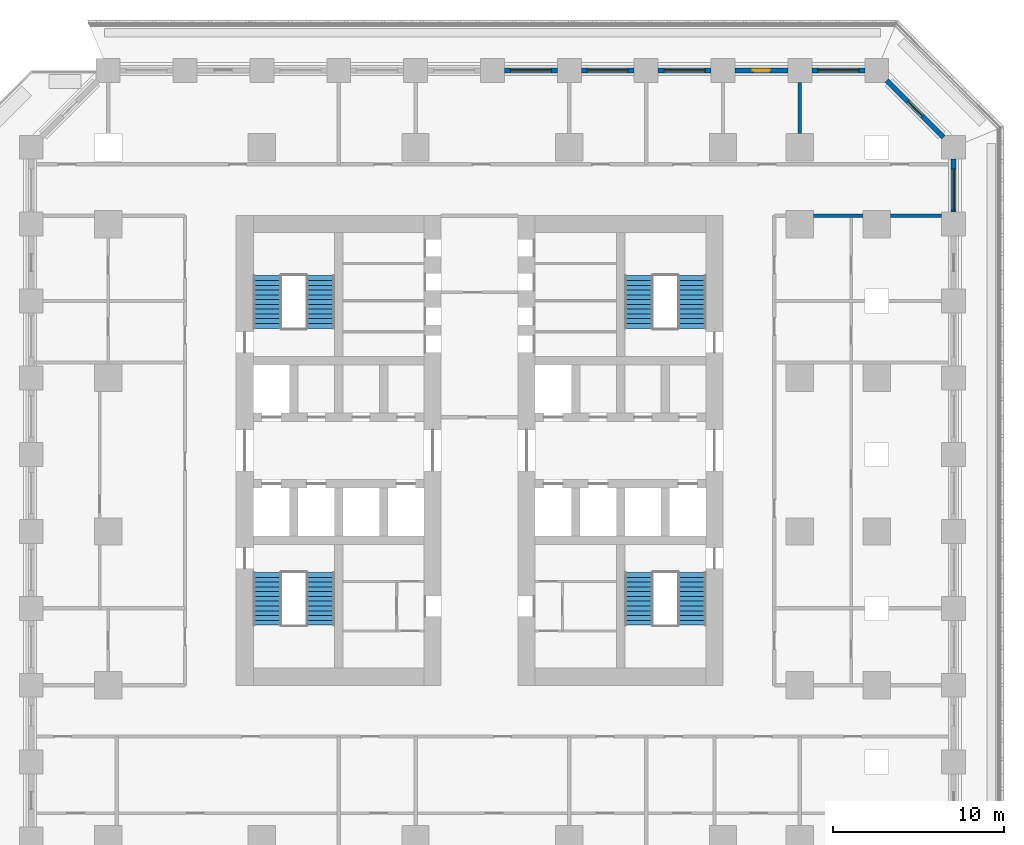
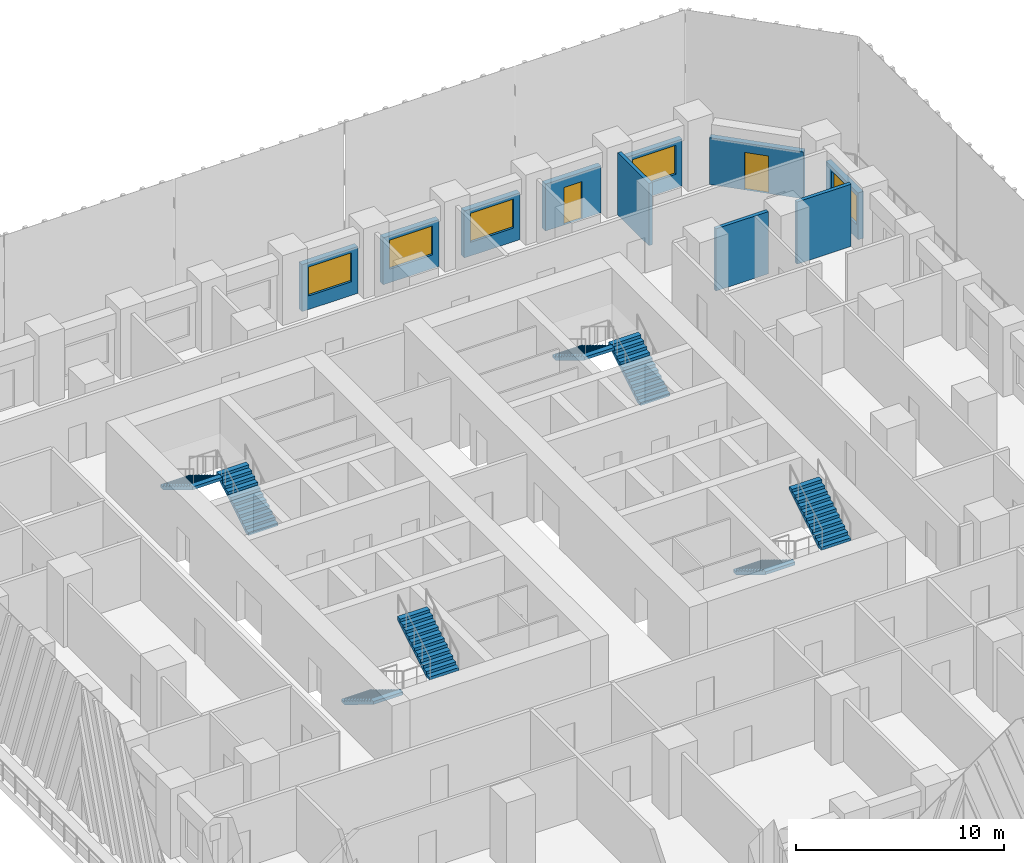
# One storey, part 9 of 15: 10 walls, 8 stair flights, 5 windows, 2 doors, 7 openings, 4 elements without a shape of their own.
"""IFC4 building model written with IfcOpenShell, lengths in metres."""

from ifc_helpers import new_model, si_unit, direction, frame, frame_2d, origin, place, context, subcontext, project, spatial, polyline, rectangle, outline, extrude, material, layer, layer_set, type_object, element, fill, aggregate, save


model = new_model("IFC4")

# Units and contexts
model_context = context("Model", 3, precision=1e-05, world=origin(), true_north=direction((0.0, 1.0)))
body_context = subcontext(model_context, "Body", "Model", "MODEL_VIEW")
ifc_project = project(units=[si_unit("LENGTHUNIT", "METRE"), si_unit("AREAUNIT", "SQUARE_METRE"), si_unit("VOLUMEUNIT", "CUBIC_METRE"), si_unit("PLANEANGLEUNIT", "RADIAN"), si_unit("MASSUNIT", "GRAM", prefix="KILO")], contexts=[model_context])

# Site, building, storey
site_placement = place(None, origin())
site = spatial("IfcSite", under=ifc_project, at=site_placement, CompositionType="ELEMENT")
building_placement = place(site_placement, origin())
building = spatial("IfcBuilding", under=site, at=building_placement, Name="Corbel Stack Research Tower", CompositionType="ELEMENT")
storey_placement = place(building_placement, frame((0.0, 0.0, 41.89990234375)))
storey = spatial("IfcBuildingStorey", under=building, at=storey_placement, Name="L09", CompositionType="ELEMENT", Elevation=41.89990234375)

# Walls
ifc_material_1 = material(Name="Fire-rated gypsum board partition on steel studs", Category="steel")
ifc_layer_1 = layer(ifc_material_1, 0.199951171875)
ifc_layer_set_1 = layer_set([ifc_layer_1], Name="Fire-rated gypsum board partition on steel studs")
wall_type_1 = type_object("IfcWallType", Name="Fire-rated partition 200 EI 60", PredefinedType="PARTITIONING", material=ifc_layer_set_1)
wall_1_placement = place(storey_placement, frame((22.5, 23.300048828125, 0.0), z_axis=(0.0, 0.0, 1.0), x_axis=(0.0, 1.0, 0.0)))
element("IfcWall", 1, at=wall_1_placement, inside=storey, type_object=wall_type_1, Name="Partition L09-025", PredefinedType="PARTITIONING", context=body_context, shape_type="SweptSolid", body=[
    extrude(rectangle(XDim=3.0, YDim=0.199951171875, at=frame_2d((1.5, 0.0))), origin(), (0.0, 0.0, 1.0), 3.650146484375),
])
wall_2_placement = place(storey_placement, frame((23.300048828125, 18.5, 0.0), z_axis=(0.0, 0.0, 1.0), x_axis=(1.0, 0.0, 0.0)))
element("IfcWall", 2, at=wall_2_placement, inside=storey, type_object=wall_type_1, Name="Partition L09-048", PredefinedType="PARTITIONING", context=body_context, shape_type="SweptSolid", body=[
    extrude(rectangle(XDim=2.89990234375, YDim=0.199951171875, at=frame_2d((1.449951171875, 0.0))), origin(), (0.0, 0.0, 1.0), 3.650146484375),
])
wall_3_placement = place(storey_placement, frame((27.800048828125, 18.5, 0.0), z_axis=(0.0, 0.0, 1.0), x_axis=(1.0, 0.0, 0.0)))
element("IfcWall", 3, at=wall_3_placement, inside=storey, type_object=wall_type_1, Name="Partition L09-049", PredefinedType="PARTITIONING", context=body_context, shape_type="SweptSolid", body=[
    extrude(rectangle(XDim=3.0, YDim=0.199951171875, at=frame_2d((1.5, 0.0))), origin(), (0.0, 0.0, 1.0), 3.650146484375),
])

# Wall, opening, window
ifc_material_2 = material(Name="Concrete C45/55", Category="concrete")
ifc_layer_2 = layer(ifc_material_2, 0.300048828125)
ifc_layer_set_2 = layer_set([ifc_layer_2], Name="Concrete C45/55")
wall_type_2 = type_object("IfcWallType", Name="Terracotta-faced concrete wall 300", PredefinedType="SOLIDWALL", material=ifc_layer_set_2)
wall_4_placement = place(storey_placement, frame((31.5, 21.800048828125, 0.0), z_axis=(0.0, 0.0, 1.0), x_axis=(0.0, -1.0, 0.0)))
wall_4 = element("IfcWall", 4, at=wall_4_placement, inside=storey, type_object=wall_type_2, Name="Facade wall L09 E10", PredefinedType="SOLIDWALL", context=body_context, shape_type="SweptSolid", body=[
    extrude(rectangle(XDim=3.10009765625, YDim=0.300048828125, at=frame_2d((1.550048828125, 0.0))), origin(), (0.0, 0.0, 1.0), 2.75),
])
opening_1_placement = place(wall_4_placement, frame((0.574951171875, 0.0, 0.800048828125)))
opening_1 = element("IfcOpeningElement", 5, at=opening_1_placement, cuts=wall_4, Name="Opening W1", PredefinedType="OPENING", context=body_context, shape_type="SweptSolid", body=[
    extrude(rectangle(XDim=2.39990234375, YDim=1.699951171875, at=frame_2d((1.199951171875, 0.85009765625))), frame((0.0, 0.159912109375, 0.0), z_axis=(0.0, -1.0, 0.0), x_axis=(1.0, 0.0, 0.0)), (0.0, 0.0, 1.0), 0.320068359375),
])
ifc_material_3 = material(Name="Aluminium frame, clear double glazing", Category="aluminium")
window_type = type_object("IfcWindowType", Name="Window W1 2400 x 1700", PartitioningType="SINGLE_PANEL", PredefinedType="WINDOW", material=ifc_material_3)
window_1_placement = place(opening_1_placement, origin())
window_1 = element("IfcWindow", 6, at=window_1_placement, inside=storey, type_object=window_type, Name="Window W1 L09 E10", OverallHeight=1.699951171875, OverallWidth=2.39990234375, PartitioningType="SINGLE_PANEL", PredefinedType="WINDOW", context=body_context, shape_type="SweptSolid", body=[
    extrude(rectangle(XDim=2.39990234375, YDim=1.699951171875, at=frame_2d((1.199951171875, 0.85009765625))), frame((0.0, 0.030029296875, 0.0), z_axis=(0.0, -1.0, 0.0), x_axis=(1.0, 0.0, 0.0)), (0.0, 0.0, 1.0), 0.06005859375),
])
fill(opening_1, window_1)

# Wall, opening, door
wall_5_placement = place(storey_placement, frame((27.593994140625, 26.406005859375, 0.0), z_axis=(0.0, 0.0, 1.0), x_axis=(0.707106781187, -0.707106781187, 0.0)))
wall_5 = element("IfcWall", 7, at=wall_5_placement, inside=storey, type_object=wall_type_2, Name="Facade wall L09 NE01", PredefinedType="SOLIDWALL", context=body_context, shape_type="SweptSolid", body=[
    extrude(rectangle(XDim=4.683837890625, YDim=0.300048828125, at=frame_2d((2.341796875, 0.0))), origin(), (0.0, 0.0, 1.0), 2.75),
])
opening_2_placement = place(wall_5_placement, frame((1.741943359375, 0.0, 0.0)))
opening_2 = element("IfcOpeningElement", 8, at=opening_2_placement, cuts=wall_5, Name="Opening L09-B06", PredefinedType="OPENING", context=body_context, shape_type="SweptSolid", body=[
    extrude(rectangle(XDim=1.199951171875, YDim=2.199951171875, at=frame_2d((0.60009765625, 1.10009765625))), frame((0.0, 0.159912109375, 0.0), z_axis=(0.0, -1.0, 0.0), x_axis=(1.0, 0.0, 0.0)), (0.0, 0.0, 1.0), 0.320068359375),
])
ifc_material_4 = material(Name="Aluminium frame, clear double glazing", Category="aluminium")
door_type_1 = type_object("IfcDoorType", Name="Balcony door BD2 1200 x 2200", OperationType="NOTDEFINED", PredefinedType="DOOR", material=ifc_material_4)
door_1_placement = place(opening_2_placement, origin())
door_1 = element("IfcDoor", 9, at=door_1_placement, inside=storey, type_object=door_type_1, Name="Balcony door L09-B06", OperationType="SINGLE_SWING_RIGHT", OverallHeight=2.199951171875, OverallWidth=1.199951171875, PredefinedType="DOOR", context=body_context, shape_type="SweptSolid", body=[
    extrude(rectangle(XDim=1.199951171875, YDim=2.199951171875, at=frame_2d((0.60009765625, 1.10009765625))), frame((0.0, 0.02490234375, 0.0), z_axis=(0.0, -1.0, 0.0), x_axis=(1.0, 0.0, 0.0)), (0.0, 0.0, 1.0), 0.050048828125),
])
fill(opening_2, door_1)

# Wall, opening, window
wall_6_placement = place(storey_placement, frame((23.199951171875, 27.0, 0.0), z_axis=(0.0, 0.0, 1.0), x_axis=(1.0, 0.0, 0.0)))
wall_6 = element("IfcWall", 10, at=wall_6_placement, inside=storey, type_object=wall_type_2, Name="Facade wall L09 N01", PredefinedType="SOLIDWALL", context=body_context, shape_type="SweptSolid", body=[
    extrude(rectangle(XDim=3.10009765625, YDim=0.300048828125, at=frame_2d((1.550048828125, 0.0))), origin(), (0.0, 0.0, 1.0), 2.75),
])
opening_3_placement = place(wall_6_placement, frame((0.35009765625, 0.0, 0.800048828125)))
opening_3 = element("IfcOpeningElement", 11, at=opening_3_placement, cuts=wall_6, Name="Opening W1", PredefinedType="OPENING", context=body_context, shape_type="SweptSolid", body=[
    extrude(rectangle(XDim=2.39990234375, YDim=1.699951171875, at=frame_2d((1.199951171875, 0.85009765625))), frame((0.0, 0.159912109375, 0.0), z_axis=(0.0, -1.0, 0.0), x_axis=(1.0, 0.0, 0.0)), (0.0, 0.0, 1.0), 0.320068359375),
])
window_2_placement = place(opening_3_placement, origin())
window_2 = element("IfcWindow", 12, at=window_2_placement, inside=storey, type_object=window_type, Name="Window W1 L09 N01", OverallHeight=1.699951171875, OverallWidth=2.39990234375, PartitioningType="SINGLE_PANEL", PredefinedType="WINDOW", context=body_context, shape_type="SweptSolid", body=[
    extrude(rectangle(XDim=2.39990234375, YDim=1.699951171875, at=frame_2d((1.199951171875, 0.85009765625))), frame((0.0, 0.030029296875, 0.0), z_axis=(0.0, -1.0, 0.0), x_axis=(1.0, 0.0, 0.0)), (0.0, 0.0, 1.0), 0.06005859375),
])
fill(opening_3, window_2)

# Wall, opening, door
wall_7_placement = place(storey_placement, frame((18.699951171875, 27.0, 0.0), z_axis=(0.0, 0.0, 1.0), x_axis=(1.0, 0.0, 0.0)))
wall_7 = element("IfcWall", 13, at=wall_7_placement, inside=storey, type_object=wall_type_2, Name="Facade wall L09 N02", PredefinedType="SOLIDWALL", context=body_context, shape_type="SweptSolid", body=[
    extrude(rectangle(XDim=3.10009765625, YDim=0.300048828125, at=frame_2d((1.550048828125, 0.0))), origin(), (0.0, 0.0, 1.0), 2.75),
])
opening_4_placement = place(wall_7_placement, frame((1.050048828125, 0.0, 0.0)))
opening_4 = element("IfcOpeningElement", 14, at=opening_4_placement, cuts=wall_7, Name="Opening L09-B07", PredefinedType="OPENING", context=body_context, shape_type="SweptSolid", body=[
    extrude(rectangle(XDim=1.0, YDim=2.199951171875, at=frame_2d((0.5, 1.10009765625))), frame((0.0, 0.159912109375, 0.0), z_axis=(0.0, -1.0, 0.0), x_axis=(1.0, 0.0, 0.0)), (0.0, 0.0, 1.0), 0.320068359375),
])
ifc_material_5 = material(Name="Aluminium frame, clear double glazing", Category="aluminium")
door_type_2 = type_object("IfcDoorType", Name="Balcony door BD1 1000 x 2200", OperationType="NOTDEFINED", PredefinedType="DOOR", material=ifc_material_5)
door_2_placement = place(opening_4_placement, origin())
door_2 = element("IfcDoor", 15, at=door_2_placement, inside=storey, type_object=door_type_2, Name="Balcony door L09-B07", OperationType="SINGLE_SWING_LEFT", OverallHeight=2.199951171875, OverallWidth=1.0, PredefinedType="DOOR", context=body_context, shape_type="SweptSolid", body=[
    extrude(rectangle(XDim=1.0, YDim=2.199951171875, at=frame_2d((0.5, 1.10009765625))), frame((0.0, 0.02490234375, 0.0), z_axis=(0.0, -1.0, 0.0), x_axis=(1.0, 0.0, 0.0)), (0.0, 0.0, 1.0), 0.050048828125),
])
fill(opening_4, door_2)

# Wall, opening, window
wall_8_placement = place(storey_placement, frame((14.199951171875, 27.0, 0.0), z_axis=(0.0, 0.0, 1.0), x_axis=(1.0, 0.0, 0.0)))
wall_8 = element("IfcWall", 16, at=wall_8_placement, inside=storey, type_object=wall_type_2, Name="Facade wall L09 N03", PredefinedType="SOLIDWALL", context=body_context, shape_type="SweptSolid", body=[
    extrude(rectangle(XDim=3.10009765625, YDim=0.300048828125, at=frame_2d((1.550048828125, 0.0))), origin(), (0.0, 0.0, 1.0), 2.75),
])
opening_5_placement = place(wall_8_placement, frame((0.35009765625, 0.0, 0.800048828125)))
opening_5 = element("IfcOpeningElement", 17, at=opening_5_placement, cuts=wall_8, Name="Opening W1", PredefinedType="OPENING", context=body_context, shape_type="SweptSolid", body=[
    extrude(rectangle(XDim=2.39990234375, YDim=1.699951171875, at=frame_2d((1.199951171875, 0.85009765625))), frame((0.0, 0.159912109375, 0.0), z_axis=(0.0, -1.0, 0.0), x_axis=(1.0, 0.0, 0.0)), (0.0, 0.0, 1.0), 0.320068359375),
])
window_3_placement = place(opening_5_placement, origin())
window_3 = element("IfcWindow", 18, at=window_3_placement, inside=storey, type_object=window_type, Name="Window W1 L09 N03", OverallHeight=1.699951171875, OverallWidth=2.39990234375, PartitioningType="SINGLE_PANEL", PredefinedType="WINDOW", context=body_context, shape_type="SweptSolid", body=[
    extrude(rectangle(XDim=2.39990234375, YDim=1.699951171875, at=frame_2d((1.199951171875, 0.85009765625))), frame((0.0, 0.030029296875, 0.0), z_axis=(0.0, -1.0, 0.0), x_axis=(1.0, 0.0, 0.0)), (0.0, 0.0, 1.0), 0.06005859375),
])
fill(opening_5, window_3)

wall_9_placement = place(storey_placement, frame((9.699951171875, 27.0, 0.0), z_axis=(0.0, 0.0, 1.0), x_axis=(1.0, 0.0, 0.0)))
wall_9 = element("IfcWall", 19, at=wall_9_placement, inside=storey, type_object=wall_type_2, Name="Facade wall L09 N04", PredefinedType="SOLIDWALL", context=body_context, shape_type="SweptSolid", body=[
    extrude(rectangle(XDim=3.10009765625, YDim=0.300048828125, at=frame_2d((1.550048828125, 0.0))), origin(), (0.0, 0.0, 1.0), 2.75),
])
opening_6_placement = place(wall_9_placement, frame((0.35009765625, 0.0, 0.800048828125)))
opening_6 = element("IfcOpeningElement", 20, at=opening_6_placement, cuts=wall_9, Name="Opening W1", PredefinedType="OPENING", context=body_context, shape_type="SweptSolid", body=[
    extrude(rectangle(XDim=2.39990234375, YDim=1.699951171875, at=frame_2d((1.199951171875, 0.85009765625))), frame((0.0, 0.159912109375, 0.0), z_axis=(0.0, -1.0, 0.0), x_axis=(1.0, 0.0, 0.0)), (0.0, 0.0, 1.0), 0.320068359375),
])
window_4_placement = place(opening_6_placement, origin())
window_4 = element("IfcWindow", 21, at=window_4_placement, inside=storey, type_object=window_type, Name="Window W1 L09 N04", OverallHeight=1.699951171875, OverallWidth=2.39990234375, PartitioningType="SINGLE_PANEL", PredefinedType="WINDOW", context=body_context, shape_type="SweptSolid", body=[
    extrude(rectangle(XDim=2.39990234375, YDim=1.699951171875, at=frame_2d((1.199951171875, 0.85009765625))), frame((0.0, 0.030029296875, 0.0), z_axis=(0.0, -1.0, 0.0), x_axis=(1.0, 0.0, 0.0)), (0.0, 0.0, 1.0), 0.06005859375),
])
fill(opening_6, window_4)

wall_10_placement = place(storey_placement, frame((5.199951171875, 27.0, 0.0), z_axis=(0.0, 0.0, 1.0), x_axis=(1.0, 0.0, 0.0)))
wall_10 = element("IfcWall", 22, at=wall_10_placement, inside=storey, type_object=wall_type_2, Name="Facade wall L09 N05", PredefinedType="SOLIDWALL", context=body_context, shape_type="SweptSolid", body=[
    extrude(rectangle(XDim=3.10009765625, YDim=0.300048828125, at=frame_2d((1.550048828125, 0.0))), origin(), (0.0, 0.0, 1.0), 2.75),
])
opening_7_placement = place(wall_10_placement, frame((0.35009765625, 0.0, 0.800048828125)))
opening_7 = element("IfcOpeningElement", 23, at=opening_7_placement, cuts=wall_10, Name="Opening W1", PredefinedType="OPENING", context=body_context, shape_type="SweptSolid", body=[
    extrude(rectangle(XDim=2.39990234375, YDim=1.699951171875, at=frame_2d((1.199951171875, 0.85009765625))), frame((0.0, 0.159912109375, 0.0), z_axis=(0.0, -1.0, 0.0), x_axis=(1.0, 0.0, 0.0)), (0.0, 0.0, 1.0), 0.320068359375),
])
window_5_placement = place(opening_7_placement, origin())
window_5 = element("IfcWindow", 24, at=window_5_placement, inside=storey, type_object=window_type, Name="Window W1 L09 N05", OverallHeight=1.699951171875, OverallWidth=2.39990234375, PartitioningType="SINGLE_PANEL", PredefinedType="WINDOW", context=body_context, shape_type="SweptSolid", body=[
    extrude(rectangle(XDim=2.39990234375, YDim=1.699951171875, at=frame_2d((1.199951171875, 0.85009765625))), frame((0.0, 0.030029296875, 0.0), z_axis=(0.0, -1.0, 0.0), x_axis=(1.0, 0.0, 0.0)), (0.0, 0.0, 1.0), 0.06005859375),
])
fill(opening_7, window_5)

# Stair, stair flights
ifc_material_6 = material(Name="Concrete C40/50", Category="concrete")
stair_type = type_object("IfcStairType", Name="Exit stair 24 risers", PredefinedType="HALF_TURN_STAIR", material=ifc_material_6)
stair_1_placement = place(storey_placement, origin())
stair_1 = element("IfcStair", 25, at=stair_1_placement, inside=storey, type_object=stair_type, Name="L09 Exit stair ST-W1", PredefinedType="HALF_TURN_STAIR")
ifc_material_7 = material(Name="Concrete C40/50", Category="concrete")
stair_flight_type = type_object("IfcStairFlightType", Name="Stair flight 12 risers", PredefinedType="STRAIGHT", material=ifc_material_7)
stair_flight_1_placement = place(storey_placement, frame((-8.675048828125, -2.39990234375, 0.0), z_axis=(0.0, 0.0, 1.0), x_axis=(0.0, -1.0, 0.0)))
stair_flight_1 = element("IfcStairFlight", 26, at=stair_flight_1_placement, type_object=stair_flight_type, Name="ST-W1 flight 1", NumberOfRisers=12, NumberOfTreads=11, PredefinedType="STRAIGHT", RiserHeight=0.170833333, TreadLength=0.28, context=body_context, shape_type="SweptSolid", body=[
    extrude(outline(polyline([(0.0, 0.0), (0.0, 0.1708984375), (0.280029296875, 0.1708984375), (0.280029296875, 0.341552734375), (0.56005859375, 0.341552734375), (0.56005859375, 0.512451171875), (0.840087890625, 0.512451171875), (0.840087890625, 0.683349609375), (1.1201171875, 0.683349609375), (1.1201171875, 0.854248046875), (1.39990234375, 0.854248046875), (1.39990234375, 1.02490234375), (1.679931640625, 1.02490234375), (1.679931640625, 1.19580078125), (1.9599609375, 1.19580078125), (1.9599609375, 1.36669921875), (2.239990234375, 1.36669921875), (2.239990234375, 1.53759765625), (2.52001953125, 1.53759765625), (2.52001953125, 1.708251953125), (2.800048828125, 1.708251953125), (2.800048828125, 1.879150390625), (3.080078125, 1.879150390625), (3.080078125, 2.050048828125), (3.080078125, 1.70361328125), (0.287841796875, 0.0), (0.0, 0.0)])), frame((0.0, 0.824951171875, 0.0), z_axis=(0.0, -1.0, 0.0), x_axis=(1.0, 0.0, 0.0)), (0.0, 0.0, 1.0), 1.64990234375),
])
stair_flight_2_placement = place(storey_placement, frame((-5.574951171875, -5.47998046875, 2.050048828125), z_axis=(0.0, 0.0, 1.0), x_axis=(0.0, 1.0, 0.0)))
stair_flight_2 = element("IfcStairFlight", 27, at=stair_flight_2_placement, type_object=stair_flight_type, Name="ST-W1 flight 2", NumberOfRisers=12, NumberOfTreads=11, PredefinedType="STRAIGHT", RiserHeight=0.170833333, TreadLength=0.28, context=body_context, shape_type="SweptSolid", body=[
    extrude(outline(polyline([(0.0, 0.0), (0.0, 0.1708984375), (0.280029296875, 0.1708984375), (0.280029296875, 0.341552734375), (0.56005859375, 0.341552734375), (0.56005859375, 0.512451171875), (0.840087890625, 0.512451171875), (0.840087890625, 0.683349609375), (1.1201171875, 0.683349609375), (1.1201171875, 0.854248046875), (1.39990234375, 0.854248046875), (1.39990234375, 1.02490234375), (1.679931640625, 1.02490234375), (1.679931640625, 1.19580078125), (1.9599609375, 1.19580078125), (1.9599609375, 1.36669921875), (2.239990234375, 1.36669921875), (2.239990234375, 1.53759765625), (2.52001953125, 1.53759765625), (2.52001953125, 1.708251953125), (2.800048828125, 1.708251953125), (2.800048828125, 1.879150390625), (3.080078125, 1.879150390625), (3.080078125, 2.050048828125), (3.080078125, 1.70361328125), (0.287841796875, 0.0), (0.0, 0.0)])), frame((0.0, 0.824951171875, 0.0), z_axis=(0.0, -1.0, 0.0), x_axis=(1.0, 0.0, 0.0)), (0.0, 0.0, 1.0), 1.64990234375),
])
aggregate(stair_1, [stair_flight_1, stair_flight_2])

stair_2_placement = place(storey_placement, origin())
stair_2 = element("IfcStair", 28, at=stair_2_placement, inside=storey, type_object=stair_type, Name="L09 Exit stair ST-W2", PredefinedType="HALF_TURN_STAIR")
stair_flight_3_placement = place(storey_placement, frame((-5.574951171875, 11.89990234375, 0.0), z_axis=(0.0, 0.0, 1.0), x_axis=(0.0, 1.0, 0.0)))
stair_flight_3 = element("IfcStairFlight", 29, at=stair_flight_3_placement, type_object=stair_flight_type, Name="ST-W2 flight 1", NumberOfRisers=12, NumberOfTreads=11, PredefinedType="STRAIGHT", RiserHeight=0.170833333, TreadLength=0.28, context=body_context, shape_type="SweptSolid", body=[
    extrude(outline(polyline([(0.0, 0.0), (0.0, 0.1708984375), (0.280029296875, 0.1708984375), (0.280029296875, 0.341552734375), (0.56005859375, 0.341552734375), (0.56005859375, 0.512451171875), (0.840087890625, 0.512451171875), (0.840087890625, 0.683349609375), (1.1201171875, 0.683349609375), (1.1201171875, 0.854248046875), (1.39990234375, 0.854248046875), (1.39990234375, 1.02490234375), (1.679931640625, 1.02490234375), (1.679931640625, 1.19580078125), (1.9599609375, 1.19580078125), (1.9599609375, 1.36669921875), (2.239990234375, 1.36669921875), (2.239990234375, 1.53759765625), (2.52001953125, 1.53759765625), (2.52001953125, 1.708251953125), (2.800048828125, 1.708251953125), (2.800048828125, 1.879150390625), (3.080078125, 1.879150390625), (3.080078125, 2.050048828125), (3.080078125, 1.70361328125), (0.287841796875, 0.0), (0.0, 0.0)])), frame((0.0, 0.824951171875, 0.0), z_axis=(0.0, -1.0, 0.0), x_axis=(1.0, 0.0, 0.0)), (0.0, 0.0, 1.0), 1.64990234375),
])
stair_flight_4_placement = place(storey_placement, frame((-8.675048828125, 14.97998046875, 2.050048828125), z_axis=(0.0, 0.0, 1.0), x_axis=(0.0, -1.0, 0.0)))
stair_flight_4 = element("IfcStairFlight", 30, at=stair_flight_4_placement, type_object=stair_flight_type, Name="ST-W2 flight 2", NumberOfRisers=12, NumberOfTreads=11, PredefinedType="STRAIGHT", RiserHeight=0.170833333, TreadLength=0.28, context=body_context, shape_type="SweptSolid", body=[
    extrude(outline(polyline([(0.0, 0.0), (0.0, 0.1708984375), (0.280029296875, 0.1708984375), (0.280029296875, 0.341552734375), (0.56005859375, 0.341552734375), (0.56005859375, 0.512451171875), (0.840087890625, 0.512451171875), (0.840087890625, 0.683349609375), (1.1201171875, 0.683349609375), (1.1201171875, 0.854248046875), (1.39990234375, 0.854248046875), (1.39990234375, 1.02490234375), (1.679931640625, 1.02490234375), (1.679931640625, 1.19580078125), (1.9599609375, 1.19580078125), (1.9599609375, 1.36669921875), (2.239990234375, 1.36669921875), (2.239990234375, 1.53759765625), (2.52001953125, 1.53759765625), (2.52001953125, 1.708251953125), (2.800048828125, 1.708251953125), (2.800048828125, 1.879150390625), (3.080078125, 1.879150390625), (3.080078125, 2.050048828125), (3.080078125, 1.70361328125), (0.287841796875, 0.0), (0.0, 0.0)])), frame((0.0, 0.824951171875, 0.0), z_axis=(0.0, -1.0, 0.0), x_axis=(1.0, 0.0, 0.0)), (0.0, 0.0, 1.0), 1.64990234375),
])
aggregate(stair_2, [stair_flight_3, stair_flight_4])

stair_3_placement = place(storey_placement, origin())
stair_3 = element("IfcStair", 31, at=stair_3_placement, inside=storey, type_object=stair_type, Name="L09 Exit stair ST-E1", PredefinedType="HALF_TURN_STAIR")
stair_flight_5_placement = place(storey_placement, frame((13.074951171875, -2.39990234375, 0.0), z_axis=(0.0, 0.0, 1.0), x_axis=(0.0, -1.0, 0.0)))
stair_flight_5 = element("IfcStairFlight", 32, at=stair_flight_5_placement, type_object=stair_flight_type, Name="ST-E1 flight 1", NumberOfRisers=12, NumberOfTreads=11, PredefinedType="STRAIGHT", RiserHeight=0.170833333, TreadLength=0.28, context=body_context, shape_type="SweptSolid", body=[
    extrude(outline(polyline([(0.0, 0.0), (0.0, 0.1708984375), (0.280029296875, 0.1708984375), (0.280029296875, 0.341552734375), (0.56005859375, 0.341552734375), (0.56005859375, 0.512451171875), (0.840087890625, 0.512451171875), (0.840087890625, 0.683349609375), (1.1201171875, 0.683349609375), (1.1201171875, 0.854248046875), (1.39990234375, 0.854248046875), (1.39990234375, 1.02490234375), (1.679931640625, 1.02490234375), (1.679931640625, 1.19580078125), (1.9599609375, 1.19580078125), (1.9599609375, 1.36669921875), (2.239990234375, 1.36669921875), (2.239990234375, 1.53759765625), (2.52001953125, 1.53759765625), (2.52001953125, 1.708251953125), (2.800048828125, 1.708251953125), (2.800048828125, 1.879150390625), (3.080078125, 1.879150390625), (3.080078125, 2.050048828125), (3.080078125, 1.70361328125), (0.287841796875, 0.0), (0.0, 0.0)])), frame((0.0, 0.824951171875, 0.0), z_axis=(0.0, -1.0, 0.0), x_axis=(1.0, 0.0, 0.0)), (0.0, 0.0, 1.0), 1.64990234375),
])
stair_flight_6_placement = place(storey_placement, frame((16.175048828125, -5.47998046875, 2.050048828125), z_axis=(0.0, 0.0, 1.0), x_axis=(0.0, 1.0, 0.0)))
stair_flight_6 = element("IfcStairFlight", 33, at=stair_flight_6_placement, type_object=stair_flight_type, Name="ST-E1 flight 2", NumberOfRisers=12, NumberOfTreads=11, PredefinedType="STRAIGHT", RiserHeight=0.170833333, TreadLength=0.28, context=body_context, shape_type="SweptSolid", body=[
    extrude(outline(polyline([(0.0, 0.0), (0.0, 0.1708984375), (0.280029296875, 0.1708984375), (0.280029296875, 0.341552734375), (0.56005859375, 0.341552734375), (0.56005859375, 0.512451171875), (0.840087890625, 0.512451171875), (0.840087890625, 0.683349609375), (1.1201171875, 0.683349609375), (1.1201171875, 0.854248046875), (1.39990234375, 0.854248046875), (1.39990234375, 1.02490234375), (1.679931640625, 1.02490234375), (1.679931640625, 1.19580078125), (1.9599609375, 1.19580078125), (1.9599609375, 1.36669921875), (2.239990234375, 1.36669921875), (2.239990234375, 1.53759765625), (2.52001953125, 1.53759765625), (2.52001953125, 1.708251953125), (2.800048828125, 1.708251953125), (2.800048828125, 1.879150390625), (3.080078125, 1.879150390625), (3.080078125, 2.050048828125), (3.080078125, 1.70361328125), (0.287841796875, 0.0), (0.0, 0.0)])), frame((0.0, 0.824951171875, 0.0), z_axis=(0.0, -1.0, 0.0), x_axis=(1.0, 0.0, 0.0)), (0.0, 0.0, 1.0), 1.64990234375),
])
aggregate(stair_3, [stair_flight_5, stair_flight_6])

stair_4_placement = place(storey_placement, origin())
stair_4 = element("IfcStair", 34, at=stair_4_placement, inside=storey, type_object=stair_type, Name="L09 Exit stair ST-E2", PredefinedType="HALF_TURN_STAIR")
stair_flight_7_placement = place(storey_placement, frame((16.175048828125, 11.89990234375, 0.0), z_axis=(0.0, 0.0, 1.0), x_axis=(0.0, 1.0, 0.0)))
stair_flight_7 = element("IfcStairFlight", 35, at=stair_flight_7_placement, type_object=stair_flight_type, Name="ST-E2 flight 1", NumberOfRisers=12, NumberOfTreads=11, PredefinedType="STRAIGHT", RiserHeight=0.170833333, TreadLength=0.28, context=body_context, shape_type="SweptSolid", body=[
    extrude(outline(polyline([(0.0, 0.0), (0.0, 0.1708984375), (0.280029296875, 0.1708984375), (0.280029296875, 0.341552734375), (0.56005859375, 0.341552734375), (0.56005859375, 0.512451171875), (0.840087890625, 0.512451171875), (0.840087890625, 0.683349609375), (1.1201171875, 0.683349609375), (1.1201171875, 0.854248046875), (1.39990234375, 0.854248046875), (1.39990234375, 1.02490234375), (1.679931640625, 1.02490234375), (1.679931640625, 1.19580078125), (1.9599609375, 1.19580078125), (1.9599609375, 1.36669921875), (2.239990234375, 1.36669921875), (2.239990234375, 1.53759765625), (2.52001953125, 1.53759765625), (2.52001953125, 1.708251953125), (2.800048828125, 1.708251953125), (2.800048828125, 1.879150390625), (3.080078125, 1.879150390625), (3.080078125, 2.050048828125), (3.080078125, 1.70361328125), (0.287841796875, 0.0), (0.0, 0.0)])), frame((0.0, 0.824951171875, 0.0), z_axis=(0.0, -1.0, 0.0), x_axis=(1.0, 0.0, 0.0)), (0.0, 0.0, 1.0), 1.64990234375),
])
stair_flight_8_placement = place(storey_placement, frame((13.074951171875, 14.97998046875, 2.050048828125), z_axis=(0.0, 0.0, 1.0), x_axis=(0.0, -1.0, 0.0)))
stair_flight_8 = element("IfcStairFlight", 36, at=stair_flight_8_placement, type_object=stair_flight_type, Name="ST-E2 flight 2", NumberOfRisers=12, NumberOfTreads=11, PredefinedType="STRAIGHT", RiserHeight=0.170833333, TreadLength=0.28, context=body_context, shape_type="SweptSolid", body=[
    extrude(outline(polyline([(0.0, 0.0), (0.0, 0.1708984375), (0.280029296875, 0.1708984375), (0.280029296875, 0.341552734375), (0.56005859375, 0.341552734375), (0.56005859375, 0.512451171875), (0.840087890625, 0.512451171875), (0.840087890625, 0.683349609375), (1.1201171875, 0.683349609375), (1.1201171875, 0.854248046875), (1.39990234375, 0.854248046875), (1.39990234375, 1.02490234375), (1.679931640625, 1.02490234375), (1.679931640625, 1.19580078125), (1.9599609375, 1.19580078125), (1.9599609375, 1.36669921875), (2.239990234375, 1.36669921875), (2.239990234375, 1.53759765625), (2.52001953125, 1.53759765625), (2.52001953125, 1.708251953125), (2.800048828125, 1.708251953125), (2.800048828125, 1.879150390625), (3.080078125, 1.879150390625), (3.080078125, 2.050048828125), (3.080078125, 1.70361328125), (0.287841796875, 0.0), (0.0, 0.0)])), frame((0.0, 0.824951171875, 0.0), z_axis=(0.0, -1.0, 0.0), x_axis=(1.0, 0.0, 0.0)), (0.0, 0.0, 1.0), 1.64990234375),
])
aggregate(stair_4, [stair_flight_7, stair_flight_8])

save(model, "model.ifc")
